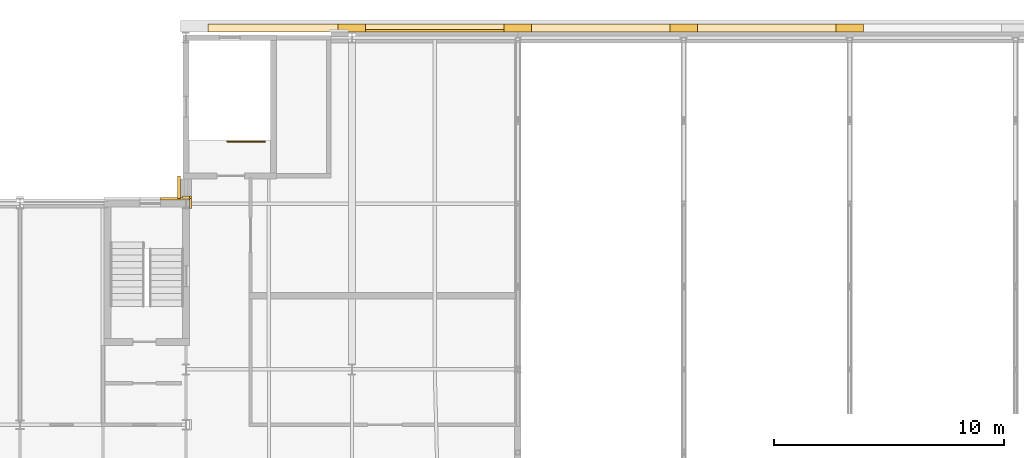
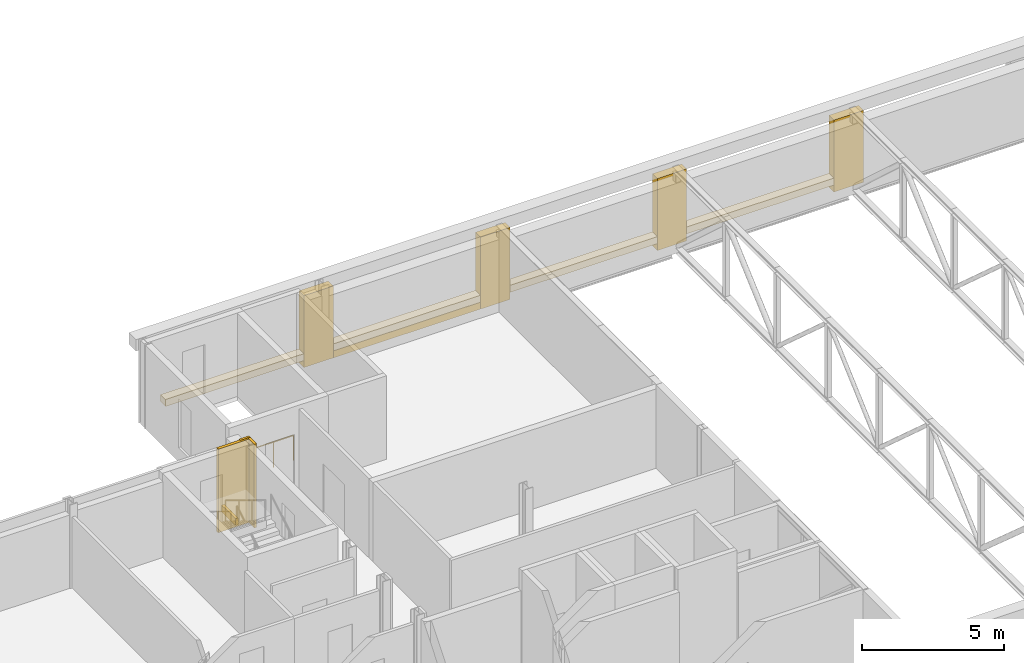
# One storey, part 138 of 142: 14 coverings, 1 railing.
"""IFC4 building model written with IfcOpenShell, lengths in metres."""

from ifc_helpers import new_model, si_unit, direction, frame, origin, origin_2d, place, context, subcontext, project, spatial, rectangle, circle, extrude, material, layer, layer_set, type_object, element, save


model = new_model("IFC4")

# Units and contexts
model_context = context("Model", 3, precision=1e-05, world=origin(), true_north=direction((0.0, 1.0)))
body_context = subcontext(model_context, "Body", "Model", "MODEL_VIEW")
ifc_project = project(units=[si_unit("LENGTHUNIT", "METRE"), si_unit("AREAUNIT", "SQUARE_METRE"), si_unit("VOLUMEUNIT", "CUBIC_METRE"), si_unit("PLANEANGLEUNIT", "RADIAN"), si_unit("MASSUNIT", "GRAM", prefix="KILO")], contexts=[model_context])

# Site, building, storey
site_placement = place(None, origin())
site = spatial("IfcSite", under=ifc_project, at=site_placement, CompositionType="ELEMENT")
building_placement = place(site_placement, origin())
building = spatial("IfcBuilding", under=site, at=building_placement, Name="Kupolbacken Congress Centre", CompositionType="ELEMENT")
storey_placement = place(building_placement, frame((0.0, 0.0, 14.39990234375)))
storey = spatial("IfcBuildingStorey", under=building, at=storey_placement, Name="L04", CompositionType="ELEMENT", Elevation=14.39990234375)

# Coverings
ifc_material_1 = material(Name="Limestone cladding", Category="masonry")
ifc_layer_1 = layer(ifc_material_1, 0.1201171875)
ifc_layer_set_1 = layer_set([ifc_layer_1], Name="Limestone cladding")
covering_type_1 = type_object("IfcCoveringType", Name="CV1 limestone cladding band 120", PredefinedType="CLADDING", material=ifc_layer_set_1)
covering_1_placement = place(storey_placement, frame((147.675048828125, 151.5, 0.0), z_axis=(0.0, 0.0, 1.0), x_axis=(-1.0, 0.0, 0.0)))
element("IfcCovering", 1, at=covering_1_placement, inside=storey, type_object=covering_type_1, Name="E/BF/N/L04/400/band", PredefinedType="CLADDING", context=body_context, shape_type="SweptSolid", body=[
    extrude(rectangle(XDim=7.050048828125, YDim=0.1201171875, at=origin_2d()), origin(), (0.0, 0.0, 1.0), 0.300048828125),
])
covering_2_placement = place(storey_placement, frame((136.5, 144.71240234375, 0.0), z_axis=(0.0, 0.0, 1.0), x_axis=(0.0, -1.0, 0.0)))
element("IfcCovering", 2, at=covering_2_placement, inside=storey, type_object=covering_type_1, Name="E/BF/W/L04/407/band", PredefinedType="CLADDING", context=body_context, shape_type="SweptSolid", body=[
    extrude(rectangle(XDim=0.97509765625, YDim=0.1201171875, at=origin_2d()), origin(), (0.0, 0.0, 1.0), 0.300048828125),
])
covering_3_placement = place(storey_placement, frame((137.0, 144.27490234375, 0.0), z_axis=(0.0, 0.0, 1.0), x_axis=(1.0, 0.0, 0.0)))
element("IfcCovering", 3, at=covering_3_placement, inside=storey, type_object=covering_type_1, Name="E/T/pilaster/L04/C-T-20W/corner", PredefinedType="CLADDING", context=body_context, shape_type="SweptSolid", body=[
    extrude(rectangle(XDim=0.10009765625, YDim=0.10009765625, at=origin_2d()), origin(), (0.0, 0.0, 1.0), 3.60009765625),
])
covering_4_placement = place(storey_placement, frame((137.0, 144.0, 0.0), z_axis=(0.0, 0.0, 1.0), x_axis=(1.0, 0.0, 0.0)))
element("IfcCovering", 4, at=covering_4_placement, inside=storey, type_object=covering_type_1, Name="E/T/pilaster/L04/C-T-20W/E", PredefinedType="CLADDING", context=body_context, shape_type="SweptSolid", body=[
    extrude(rectangle(XDim=0.10009765625, YDim=0.449951171875, at=origin_2d()), origin(), (0.0, 0.0, 1.0), 3.60009765625),
])
covering_5_placement = place(storey_placement, frame((136.800048828125, 144.27490234375, 0.0), z_axis=(0.0, 0.0, 1.0), x_axis=(1.0, 0.0, 0.0)))
element("IfcCovering", 5, at=covering_5_placement, inside=storey, type_object=covering_type_1, Name="E/T/pilaster/L04/C-T-20W/N", PredefinedType="CLADDING", context=body_context, shape_type="SweptSolid", body=[
    extrude(rectangle(XDim=0.300048828125, YDim=0.10009765625, at=origin_2d()), origin(), (0.0, 0.0, 1.0), 3.60009765625),
])
covering_6_placement = place(storey_placement, frame((136.324951171875, 144.2099609375, 0.0), z_axis=(0.0, 0.0, 1.0), x_axis=(-1.0, 0.0, 0.0)))
element("IfcCovering", 6, at=covering_6_placement, inside=storey, type_object=covering_type_1, Name="S/core/L04/131/face0", PredefinedType="CLADDING", context=body_context, shape_type="SweptSolid", body=[
    extrude(rectangle(XDim=1.25, YDim=0.1201171875, at=origin_2d()), origin(), (0.0, 0.0, 1.0), 3.60009765625),
])
ifc_material_2 = material(Name="Limestone cladding", Category="masonry")
ifc_layer_2 = layer(ifc_material_2, 0.35009765625)
ifc_layer_set_2 = layer_set([ifc_layer_2], Name="Limestone cladding")
covering_type_2 = type_object("IfcCoveringType", Name="CV3 limestone pilaster strip 350", PredefinedType="CLADDING", material=ifc_layer_set_2)
for number, where, z_axis, x_axis, name in (
    (7, (144.0, 151.614990234375, 0.0), (0.0, 0.0, 1.0), (1.0, 0.0, 0.0), "F/B/N/pil/01/1"),
    (8, (151.199951171875, 151.614990234375, 0.0), (0.0, 0.0, 1.0), (1.0, 0.0, 0.0), "F/B/N/pil/02/0"),
    (9, (158.39990234375, 151.614990234375, 0.0), (0.0, 0.0, 1.0), (1.0, 0.0, 0.0), "F/B/N/pil/03/1"),
    (10, (165.60009765625, 151.614990234375, 0.0), (0.0, 0.0, 1.0), (1.0, 0.0, 0.0), "F/B/N/pil/04/1"),
):
    element("IfcCovering", number, at=place(storey_placement, frame(where, z_axis=z_axis, x_axis=x_axis)), inside=storey, type_object=covering_type_2, Name=name, PredefinedType="CLADDING", context=body_context, shape_type="SweptSolid", body=[
        extrude(rectangle(XDim=1.199951171875, YDim=0.35009765625, at=origin_2d()), origin(), (0.0, 0.0, 1.0), 3.10009765625),
    ])
covering_7_placement = place(storey_placement, frame((140.580078125, 151.614990234375, 0.30029296875), z_axis=(0.0, 0.0, 1.0), x_axis=(1.0, 0.0, 0.0)))
element("IfcCovering", 11, at=covering_7_placement, inside=storey, type_object=covering_type_2, Name="F/B/N/string/00", PredefinedType="CLADDING", context=body_context, shape_type="SweptSolid", body=[
    extrude(rectangle(XDim=5.639892578125, YDim=0.35009765625, at=origin_2d()), origin(), (0.0, 0.0, 1.0), 0.300048828125),
])
for number, where, z_axis, x_axis, name in (
    (12, (147.60009765625, 151.614990234375, 0.30029296875), (0.0, 0.0, 1.0), (1.0, 0.0, 0.0), "F/B/N/string/01"),
    (13, (154.800048828125, 151.614990234375, 0.30029296875), (0.0, 0.0, 1.0), (1.0, 0.0, 0.0), "F/B/N/string/02"),
    (14, (162.0, 151.614990234375, 0.30029296875), (0.0, 0.0, 1.0), (1.0, 0.0, 0.0), "F/B/N/string/03"),
):
    element("IfcCovering", number, at=place(storey_placement, frame(where, z_axis=z_axis, x_axis=x_axis)), inside=storey, type_object=covering_type_2, Name=name, PredefinedType="CLADDING", context=body_context, shape_type="SweptSolid", body=[
        extrude(rectangle(XDim=6.0, YDim=0.35009765625, at=origin_2d()), origin(), (0.0, 0.0, 1.0), 0.300048828125),
    ])

# Railing
ifc_material_3 = material(Name="Steel S235", Category="steel")
railing_type = type_object("IfcRailingType", Name="RL1 guard 1100 steel balustrade", PredefinedType="GUARDRAIL", material=ifc_material_3)
railing_placement = place(storey_placement, frame((140.22509765625, 146.68505859375, 0.0)))
element("IfcRailing", 15, at=railing_placement, inside=storey, type_object=railing_type, Name="C/guard/BS2/L04", PredefinedType="GUARDRAIL", context=body_context, shape_type="SweptSolid", body=[
    extrude(circle(Radius=0.02392578125, at=origin_2d()), frame((0.0, 0.0, 1.076171875), z_axis=(-1.0, 0.0, 0.0), x_axis=(0.0, -1.0, 0.0)), (0.0, 0.0, 1.0), 1.625),
    extrude(circle(Radius=0.02099609375, at=origin_2d()), origin(), (0.0, 0.0, 1.0), 1.052001953125),
    extrude(circle(Radius=0.02099609375, at=origin_2d()), frame((-0.8125, 0.0, 0.0)), (0.0, 0.0, 1.0), 1.052001953125),
    extrude(circle(Radius=0.02099609375, at=origin_2d()), frame((-1.625, 0.0, 0.0)), (0.0, 0.0, 1.0), 1.052001953125),
])

save(model, "model.ifc")
